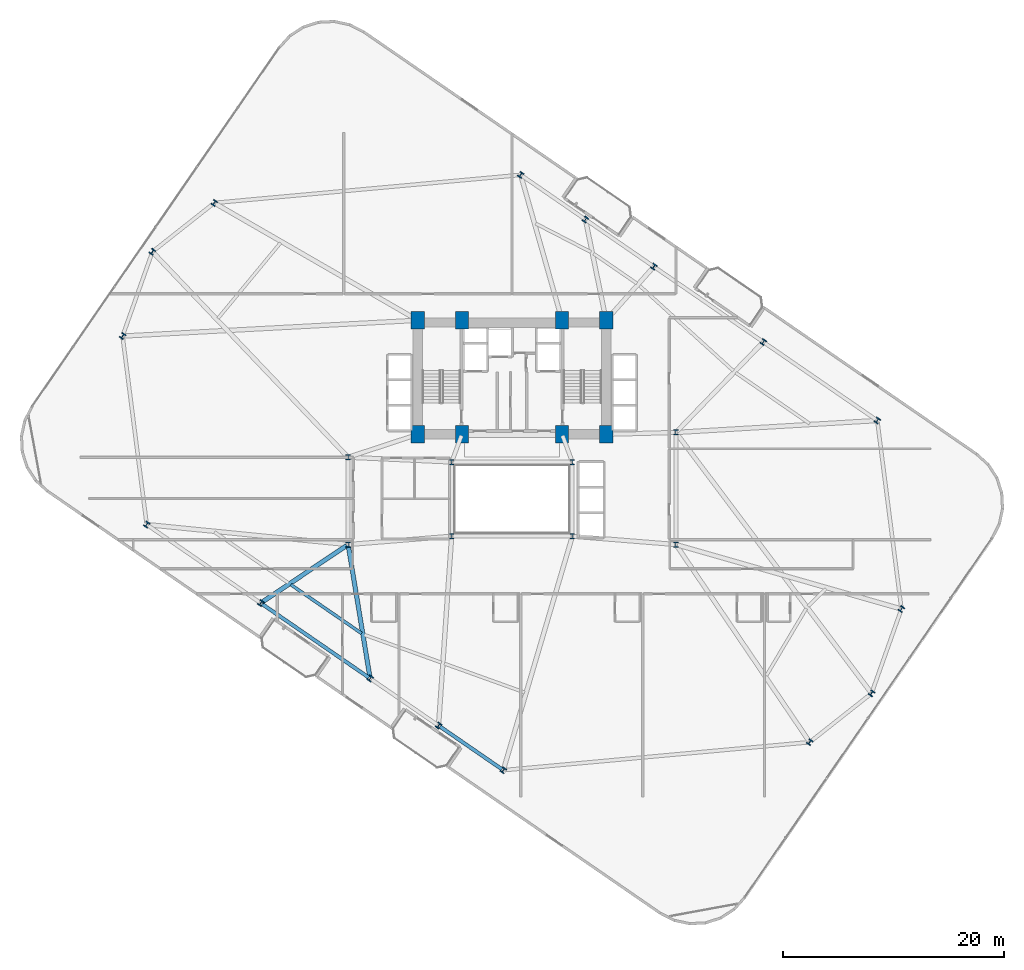
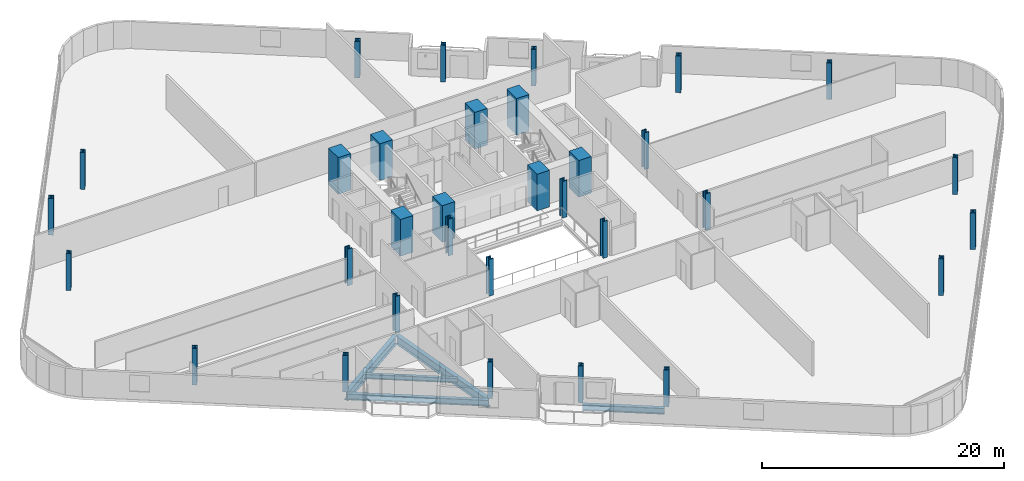
# One storey, part 1 of 26: 32 columns, 5 beams.
"""IFC4 building model written with IfcOpenShell, lengths in metres."""

from ifc_helpers import new_model, si_unit, direction, frame, origin, origin_2d, place, context, subcontext, project, spatial, rectangle, i_section, extrude, material, material_profile, profile_set, type_object, element, save


model = new_model("IFC4")

# Units and contexts
model_context = context("Model", 3, precision=1e-05, world=origin(), true_north=direction((0.0, 1.0)))
body_context = subcontext(model_context, "Body", "Model", "MODEL_VIEW")
ifc_project = project(units=[si_unit("LENGTHUNIT", "METRE"), si_unit("AREAUNIT", "SQUARE_METRE"), si_unit("VOLUMEUNIT", "CUBIC_METRE"), si_unit("PLANEANGLEUNIT", "RADIAN"), si_unit("MASSUNIT", "GRAM", prefix="KILO")], contexts=[model_context])

# Site, building, storey
site_placement = place(None, origin())
site = spatial("IfcSite", under=ifc_project, at=site_placement, CompositionType="ELEMENT")
building_placement = place(site_placement, origin())
building = spatial("IfcBuilding", under=site, at=building_placement, Name="Varnelok Gate Tower", CompositionType="ELEMENT")
storey_placement = place(building_placement, frame((0.0, 0.0, 45.5)))
storey = spatial("IfcBuildingStorey", under=building, at=storey_placement, Name="L10", CompositionType="ELEMENT", Elevation=45.5)

# Columns
ifc_material_1 = material(Name="Concrete C70/85", Category="concrete")
ifc_material_profile_1 = material_profile(ifc_material_1, rectangle(XDim=1.199951171875, YDim=1.60009765625, at=origin_2d()), Name="RC1600X1200")
ifc_profile_set_1 = profile_set([ifc_material_profile_1], Name="Concrete C70/85")
column_type_1 = type_object("IfcColumnType", Name="COL-RC1600X1200", PredefinedType="COLUMN", material=ifc_profile_set_1)
for number, where, z_axis, x_axis, name in (
    (1, (30.699951171875, 28.75, 0.0), (0.0, 0.0, 1.0), (1.0, 0.0, 0.0), "L10 Core Spine Column SC1"),
    (2, (34.679931640625, 28.75, 0.0), (0.0, 0.0, 1.0), (1.0, 0.0, 0.0), "L10 Core Spine Column SC2"),
    (3, (43.719970703125, 28.75, 0.0), (0.0, 0.0, 1.0), (1.0, 0.0, 0.0), "L10 Core Spine Column SC3"),
    (4, (47.699951171875, 28.75, 0.0), (0.0, 0.0, 1.0), (1.0, 0.0, 0.0), "L10 Core Spine Column SC4"),
    (5, (30.699951171875, 39.050048828125, 0.0), (0.0, 0.0, 1.0), (1.0, 0.0, 0.0), "L10 Core Spine Column SC5"),
    (6, (34.679931640625, 39.050048828125, 0.0), (0.0, 0.0, 1.0), (1.0, 0.0, 0.0), "L10 Core Spine Column SC6"),
    (7, (43.719970703125, 39.050048828125, 0.0), (0.0, 0.0, 1.0), (1.0, 0.0, 0.0), "L10 Core Spine Column SC7"),
    (8, (47.699951171875, 39.050048828125, 0.0), (0.0, 0.0, 1.0), (1.0, 0.0, 0.0), "L10 Core Spine Column SC8"),
):
    element("IfcColumn", number, at=place(storey_placement, frame(where, z_axis=z_axis, x_axis=x_axis)), inside=storey, type_object=column_type_1, Name=name, PredefinedType="COLUMN", context=body_context, shape_type="SweptSolid", body=[
        extrude(rectangle(XDim=1.199951171875, YDim=1.60009765625, at=origin_2d()), origin(), (0.0, 0.0, 1.0), 3.699951171875),
    ])
ifc_material_2 = material(Name="Structural Steel ASTM A992 Grade 50", Category="steel")
ifc_material_profile_2 = material_profile(ifc_material_2, i_section(OverallWidth=0.431884765625, OverallDepth=0.498046875, WebThickness=0.0556640625, FlangeThickness=0.0888671875, FilletRadius=0.02490234375, at=origin_2d()), Name="W14X500")
ifc_profile_set_2 = profile_set([ifc_material_profile_2], Name="Structural Steel ASTM A992 Grade 50")
column_type_2 = type_object("IfcColumnType", Name="COL-W14X500", PredefinedType="COLUMN", material=ifc_profile_set_2)
for number, where, z_axis, x_axis, name in (
    (9, (33.75, 19.550048828125, 0.0), (0.0, 0.0, 1.0), (1.0, 0.0, 0.0), "L10 Atrium Spine Column AC1"),
    (10, (44.64990234375, 19.550048828125, 0.0), (0.0, 0.0, 1.0), (1.0, 0.0, 0.0), "L10 Atrium Spine Column AC2"),
    (11, (33.75, 26.25, 0.0), (0.0, 0.0, 1.0), (1.0, 0.0, 0.0), "L10 Atrium Spine Column AC3"),
    (12, (44.64990234375, 26.25, 0.0), (0.0, 0.0, 1.0), (1.0, 0.0, 0.0), "L10 Atrium Spine Column AC4"),
    (13, (24.39990234375, 18.800048828125, 0.0), (0.0, 0.0, 1.0), (1.0, 0.0, 0.0), "L10 Wing Spine Column WS1"),
    (14, (24.39990234375, 26.679931640625, 0.0), (0.0, 0.0, 1.0), (1.0, 0.0, 0.0), "L10 Wing Spine Column WS2"),
    (15, (54.0, 18.800048828125, 0.0), (0.0, 0.0, 1.0), (1.0, 0.0, 0.0), "L10 Wing Spine Column ES1"),
    (16, (54.0, 28.919921875, 0.0), (0.0, 0.0, 1.0), (1.0, 0.0, 0.0), "L10 Wing Spine Column ES2"),
    (17, (6.214599609375, 20.602783203125, 0.0), (0.0, 0.0, 1.0), (0.823532597628, -0.567268949127, 0.0), "L10 B1 Perimeter Column PC01"),
    (18, (16.5087890625, 13.511962890625, 0.0), (0.0, 0.0, 1.0), (0.823532597628, -0.567268949127, 0.0), "L10 B1 Perimeter Column PC02"),
    (19, (26.39111328125, 6.70458984375, 0.0), (0.0, 0.0, 1.0), (0.823532597628, -0.567268949127, 0.0), "L10 B1 Perimeter Column PC03"),
    (20, (32.567626953125, 2.4501953125, 0.0), (0.0, 0.0, 1.0), (0.823532597628, -0.567268949127, 0.0), "L10 B1 Perimeter Column PC04"),
    (21, (38.41455078125, -1.577392578125, 0.0), (0.0, 0.0, 1.0), (0.823532597628, -0.567268949127, 0.0), "L10 B1 Perimeter Column PC05"),
    (22, (66.084716796875, 0.95263671875, 0.0), (0.0, 0.0, 1.0), (0.823532597628, -0.567268949127, 0.0), "L10 B1 Perimeter Column PC06"),
    (23, (71.669921875, 5.362548828125, 0.0), (0.0, 0.0, 1.0), (0.823532597628, -0.567268949127, 0.0), "L10 B1 Perimeter Column PC07"),
    (24, (74.366943359375, 12.976318359375, 0.0), (0.0, 0.0, 1.0), (0.823532597628, -0.567268949127, 0.0), "L10 B1 Perimeter Column PC08"),
    (25, (72.185546875, 29.997314453125, 0.0), (0.0, 0.0, 1.0), (0.823532597628, -0.567268949127, 0.0), "L10 B1 Perimeter Column PC09"),
    (26, (61.891357421875, 37.088134765625, 0.0), (0.0, 0.0, 1.0), (0.823532597628, -0.567268949127, 0.0), "L10 B1 Perimeter Column PC10"),
    (27, (52.0087890625, 43.8955078125, 0.0), (0.0, 0.0, 1.0), (0.823532597628, -0.567268949127, 0.0), "L10 B1 Perimeter Column PC11"),
    (28, (45.83251953125, 48.14990234375, 0.0), (0.0, 0.0, 1.0), (0.823532597628, -0.567268949127, 0.0), "L10 B1 Perimeter Column PC12"),
    (29, (39.9853515625, 52.177490234375, 0.0), (0.0, 0.0, 1.0), (0.823532597628, -0.567268949127, 0.0), "L10 B1 Perimeter Column PC13"),
    (30, (12.315185546875, 49.6474609375, 0.0), (0.0, 0.0, 1.0), (0.823532597628, -0.567268949127, 0.0), "L10 B1 Perimeter Column PC14"),
    (31, (6.72998046875, 45.237548828125, 0.0), (0.0, 0.0, 1.0), (0.823532597628, -0.567268949127, 0.0), "L10 B1 Perimeter Column PC15"),
    (32, (4.033203125, 37.623779296875, 0.0), (0.0, 0.0, 1.0), (0.823532597628, -0.567268949127, 0.0), "L10 B1 Perimeter Column PC16"),
):
    element("IfcColumn", number, at=place(storey_placement, frame(where, z_axis=z_axis, x_axis=x_axis)), inside=storey, type_object=column_type_2, Name=name, PredefinedType="COLUMN", context=body_context, shape_type="SweptSolid", body=[
        extrude(i_section(OverallWidth=0.431884765625, OverallDepth=0.498046875, WebThickness=0.0556640625, FlangeThickness=0.0888671875, FilletRadius=0.02490234375, at=origin_2d()), origin(), (0.0, 0.0, 1.0), 3.699951171875),
    ])

# Beams
ifc_material_profile_3 = material_profile(ifc_material_2, i_section(OverallWidth=0.280029296875, OverallDepth=0.462890625, WebThickness=0.0107421875, FlangeThickness=0.017333984375, FilletRadius=0.014892578125, at=origin_2d()), Name="W18X76")
ifc_profile_set_3 = profile_set([ifc_material_profile_3], Name="Structural Steel ASTM A992 Grade 50")
beam_type_1 = type_object("IfcBeamType", Name="BM-JST-W18X76", PredefinedType="JOIST", material=ifc_profile_set_3)
beam_1_placement = place(storey_placement, frame((19.22802734375, 15.177490234375, -0.4814453125), z_axis=(0.823527524504, -0.567276313964, 0.0), x_axis=(0.567276313964, 0.823527524504, 0.0)))
element("IfcBeam", 33, at=beam_1_placement, inside=storey, type_object=beam_type_1, Name="L10 Sector Floor Joist 2", PredefinedType="JOIST", context=body_context, shape_type="SweptSolid", body=[
    extrude(i_section(OverallWidth=0.280029296875, OverallDepth=0.462890625, WebThickness=0.0107421875, FlangeThickness=0.017333984375, FilletRadius=0.014892578125, at=origin_2d()), origin(), (0.0, 0.0, 1.0), 7.760009765625),
])
ifc_material_profile_4 = material_profile(ifc_material_2, i_section(OverallWidth=0.39892578125, OverallDepth=0.85498046875, WebThickness=0.018310546875, FlangeThickness=0.029296875, FilletRadius=0.02392578125, at=origin_2d()), Name="W33X201")
ifc_profile_set_4 = profile_set([ifc_material_profile_4], Name="Structural Steel ASTM A992 Grade 50")
beam_type_2 = type_object("IfcBeamType", Name="BM-PRI-W33X201", PredefinedType="BEAM", material=ifc_profile_set_4)
beam_2_placement = place(storey_placement, frame((24.275390625, 18.716552734375, -0.677490234375), z_axis=(-0.830725059098, -0.556682922485, 0.0), x_axis=(0.556682922485, -0.830725059098, 0.0)))
element("IfcBeam", 34, at=beam_2_placement, inside=storey, type_object=beam_type_2, Name="L10 Radial Floor Girder 2", PredefinedType="BEAM", context=body_context, shape_type="SweptSolid", body=[
    extrude(i_section(OverallWidth=0.39892578125, OverallDepth=0.85498046875, WebThickness=0.018310546875, FlangeThickness=0.029296875, FilletRadius=0.02392578125, at=origin_2d()), origin(), (0.0, 0.0, 1.0), 9.19921875),
])
beam_3_placement = place(storey_placement, frame((24.42431640625, 18.652099609375, -0.677490234375), z_axis=(0.162428802214, -0.986720266444, 0.0), x_axis=(0.986720266444, 0.162428802214, 0.0)))
element("IfcBeam", 35, at=beam_3_placement, inside=storey, type_object=beam_type_2, Name="L10 Radial Floor Girder 3", PredefinedType="BEAM", context=body_context, shape_type="SweptSolid", body=[
    extrude(i_section(OverallWidth=0.39892578125, OverallDepth=0.85498046875, WebThickness=0.018310546875, FlangeThickness=0.029296875, FilletRadius=0.02392578125, at=origin_2d()), origin(), (0.0, 0.0, 1.0), 11.958251953125),
])
ifc_material_profile_5 = material_profile(ifc_material_2, i_section(OverallWidth=0.323974609375, OverallDepth=0.611083984375, WebThickness=0.0126953125, FlangeThickness=0.01904296875, FilletRadius=0.01806640625, at=origin_2d()), Name="W24X104")
ifc_profile_set_5 = profile_set([ifc_material_profile_5], Name="Structural Steel ASTM A992 Grade 50")
beam_type_3 = type_object("IfcBeamType", Name="BM-SPN-W24X104", PredefinedType="SPANDREL", material=ifc_profile_set_5)
beam_4_placement = place(storey_placement, frame((16.632080078125, 13.4267578125, -0.555419921875), z_axis=(0.823540527698, -0.567257436478, 0.0), x_axis=(0.567257436478, 0.823540527698, 0.0)))
element("IfcBeam", 36, at=beam_4_placement, inside=storey, type_object=beam_type_3, Name="L10 Perimeter Spandrel Beam 2", PredefinedType="SPANDREL", context=body_context, shape_type="SweptSolid", body=[
    extrude(i_section(OverallWidth=0.323974609375, OverallDepth=0.611083984375, WebThickness=0.0126953125, FlangeThickness=0.01904296875, FilletRadius=0.01806640625, at=origin_2d()), origin(), (0.0, 0.0, 1.0), 11.7001953125),
])
beam_5_placement = place(storey_placement, frame((32.691162109375, 2.364990234375, -0.555419921875), z_axis=(0.823525119645, -0.567279805135, 0.0), x_axis=(0.567279805135, 0.823525119645, 0.0)))
element("IfcBeam", 37, at=beam_5_placement, inside=storey, type_object=beam_type_3, Name="L10 Perimeter Spandrel Beam 4", PredefinedType="SPANDREL", context=body_context, shape_type="SweptSolid", body=[
    extrude(i_section(OverallWidth=0.323974609375, OverallDepth=0.611083984375, WebThickness=0.0126953125, FlangeThickness=0.01904296875, FilletRadius=0.01806640625, at=origin_2d()), origin(), (0.0, 0.0, 1.0), 6.7998046875),
])

save(model, "model.ifc")
